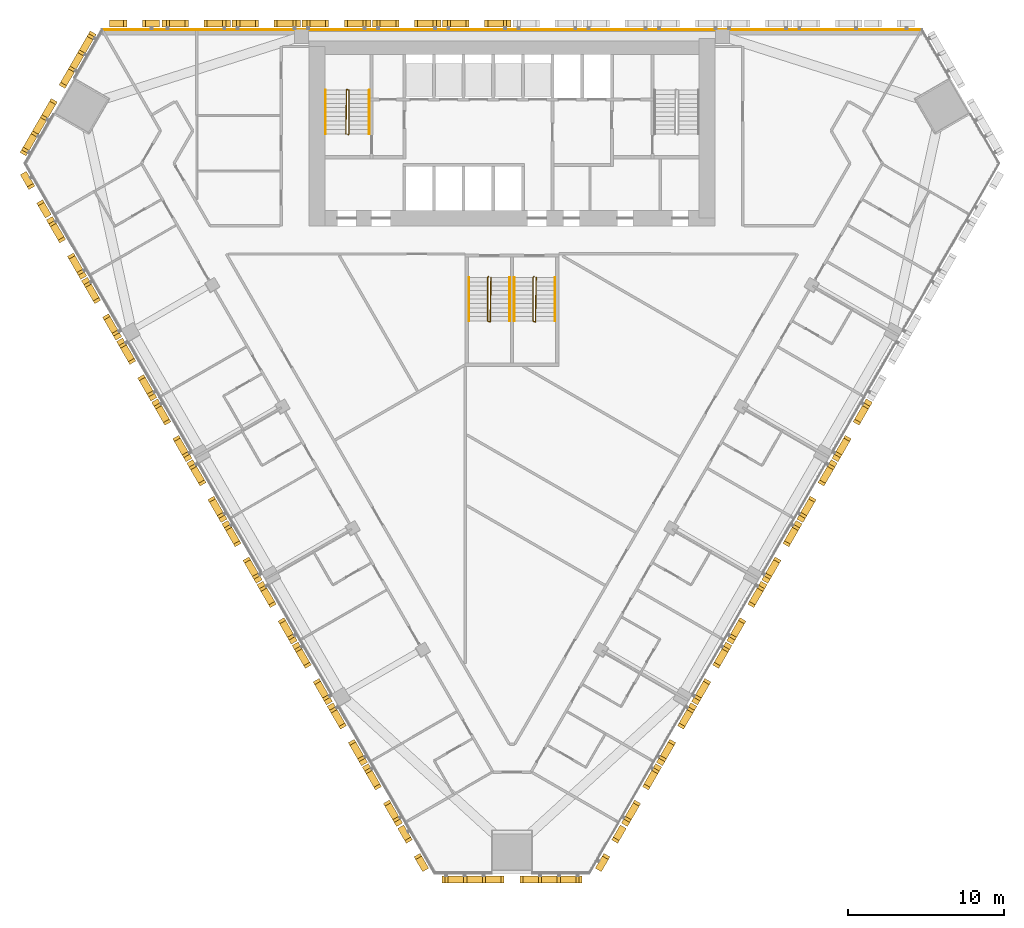
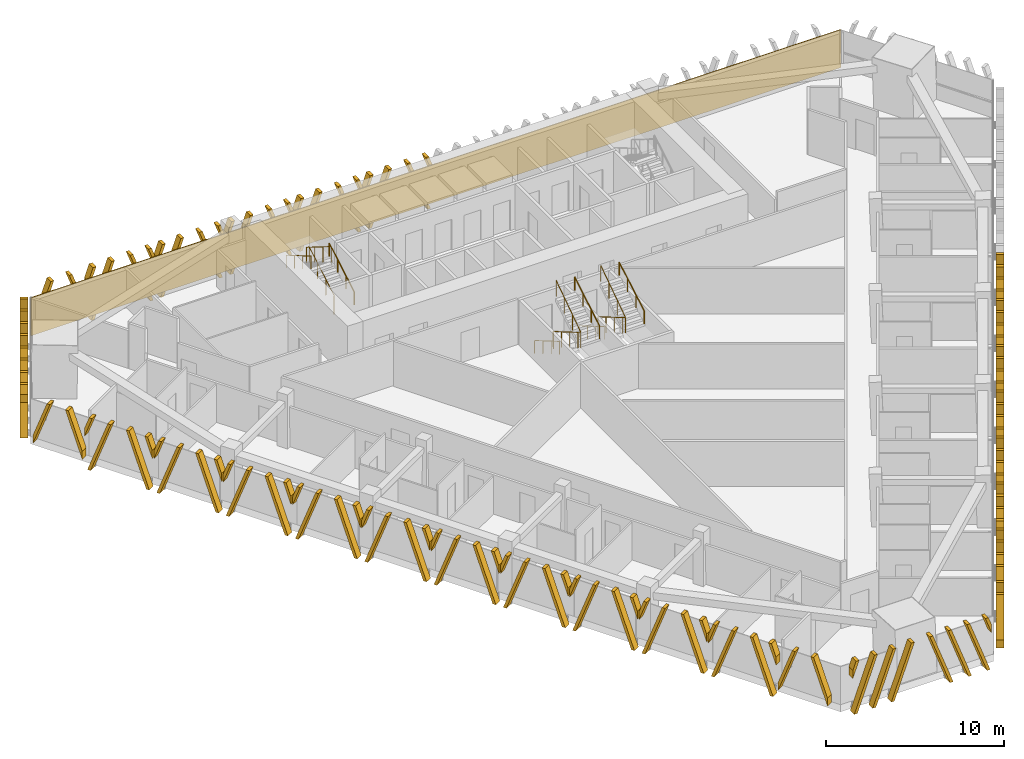
# One storey, part 15 of 17: 28 shading devices, 9 railings, 1 covering.
"""IFC4 building model written with IfcOpenShell, lengths in metres."""

from ifc_helpers import new_model, si_unit, direction, frame, frame_2d, origin, origin_2d, place, context, subcontext, project, spatial, polyline, rectangle, circle, outline, extrude, source, transform, mapped, material, layer, layer_set, type_object, element, save


model = new_model("IFC4")

# Units and contexts
model_context = context("Model", 3, precision=1e-05, world=origin(), true_north=direction((0.0, 1.0)))
body_context = subcontext(model_context, "Body", "Model", "MODEL_VIEW")
ifc_project = project(units=[si_unit("LENGTHUNIT", "METRE"), si_unit("AREAUNIT", "SQUARE_METRE"), si_unit("VOLUMEUNIT", "CUBIC_METRE"), si_unit("PLANEANGLEUNIT", "RADIAN"), si_unit("MASSUNIT", "GRAM", prefix="KILO")], contexts=[model_context])

# Site, building, storey
site_placement = place(None, origin())
site = spatial("IfcSite", under=ifc_project, at=site_placement, CompositionType="ELEMENT")
building_placement = place(site_placement, origin())
building = spatial("IfcBuilding", under=site, at=building_placement, Name="Altiplano Prism Tower", CompositionType="ELEMENT")
storey_placement = place(building_placement, frame((0.0, 0.0, 30.60009765625)))
storey = spatial("IfcBuildingStorey", under=building, at=storey_placement, Name="L06", CompositionType="ELEMENT", Elevation=30.60009765625)

# Railings
ifc_material_1 = material(Name="Steel S355", Category="steel")
railing_type_1 = type_object("IfcRailingType", Name="Stair guard 1100", PredefinedType="GUARDRAIL", material=ifc_material_1)
railing_1_placement = place(storey_placement, frame((74.5, 98.25, 0.0)))
element("IfcRailing", 1, at=railing_1_placement, inside=storey, type_object=railing_type_1, Name="L06 ST1 stair guard 1", PredefinedType="GUARDRAIL", context=body_context, shape_type="SweptSolid", body=[
    extrude(circle(Radius=0.02392578125, at=origin_2d()), frame((0.0, 0.0, 1.076171875), z_axis=(0.280808744504, 0.280808744504, 0.917765164963), x_axis=(-0.707106781187, 0.707106781187, 0.0)), (0.0, 0.0, 1.0), 0.17822265625),
    extrude(circle(Radius=0.02392578125, at=origin_2d()), frame((0.050048828125, 0.050048828125, 1.23974609375), z_axis=(0.0, 0.863393664356, 0.504530851732), x_axis=(-1.0, 0.0, 0.0)), (0.0, 0.0, 1.0), 3.2431640625),
    extrude(circle(Radius=0.02392578125, at=origin_2d()), frame((0.050048828125, 2.85009765625, 2.8759765625), z_axis=(-0.949145278916, 0.314838433982, 0.0), x_axis=(-0.314838433982, -0.949145278916, 0.0)), (0.0, 0.0, 1.0), 0.158203125),
    extrude(circle(Radius=0.02392578125, at=origin_2d()), frame((-0.10009765625, 2.89990234375, 2.8759765625), z_axis=(-0.01477401265, -0.845377694409, 0.533964682676), x_axis=(0.999847325713, -0.01747355902, 0.0)), (0.0, 0.0, 1.0), 3.37109375),
    extrude(circle(Radius=0.02099609375, at=origin_2d()), origin(), (0.0, 0.0, 1.0), 1.052001953125),
    extrude(circle(Radius=0.02099609375, at=origin_2d()), frame((0.050048828125, 0.050048828125, 0.16357421875)), (0.0, 0.0, 1.0), 1.052001953125),
    extrude(circle(Radius=0.02099609375, at=origin_2d()), frame((0.050048828125, 0.9833984375, 0.708984375)), (0.0, 0.0, 1.0), 1.052001953125),
    extrude(circle(Radius=0.02099609375, at=origin_2d()), frame((0.050048828125, 1.916748046875, 1.25439453125)), (0.0, 0.0, 1.0), 1.052001953125),
    extrude(circle(Radius=0.02099609375, at=origin_2d()), frame((0.050048828125, 2.85009765625, 1.7998046875)), (0.0, 0.0, 1.0), 1.052001953125),
    extrude(circle(Radius=0.02099609375, at=origin_2d()), frame((-0.10009765625, 2.89990234375, 1.7998046875)), (0.0, 0.0, 1.0), 1.052001953125),
    extrude(circle(Radius=0.02099609375, at=origin_2d()), frame((-0.11669921875, 1.949951171875, 2.39990234375)), (0.0, 0.0, 1.0), 1.052001953125),
    extrude(circle(Radius=0.02099609375, at=origin_2d()), frame((-0.13330078125, 1.0, 2.999755859375)), (0.0, 0.0, 1.0), 1.052001953125),
    extrude(circle(Radius=0.02099609375, at=origin_2d()), frame((-0.14990234375, 0.050048828125, 3.599853515625)), (0.0, 0.0, 1.0), 1.052001953125),
])
railing_2_placement = place(storey_placement, frame((83.5, 89.14990234375, 0.0)))
element("IfcRailing", 2, at=railing_2_placement, inside=storey, type_object=railing_type_1, Name="L06 ST3A stair guard 1", PredefinedType="GUARDRAIL", context=body_context, shape_type="SweptSolid", body=[
    extrude(circle(Radius=0.02392578125, at=origin_2d()), frame((0.0, 0.0, 1.076171875), z_axis=(-0.280916556609, -0.279546231943, 0.91811752648), x_axis=(0.705375805398, -0.708833529934, 0.0)), (0.0, 0.0, 1.0), 0.17822265625),
    extrude(circle(Radius=0.02392578125, at=origin_2d()), frame((-0.050048828125, -0.0498046875, 1.23974609375), z_axis=(0.0, -0.863393664356, 0.504530851732), x_axis=(1.0, 0.0, 0.0)), (0.0, 0.0, 1.0), 3.2431640625),
    extrude(circle(Radius=0.02392578125, at=origin_2d()), frame((-0.050048828125, -2.849853515625, 2.8759765625), z_axis=(0.948683298051, -0.316227766017, 0.0), x_axis=(0.316227766017, 0.948683298051, 0.0)), (0.0, 0.0, 1.0), 0.158203125),
    extrude(circle(Radius=0.02392578125, at=origin_2d()), frame((0.10009765625, -2.89990234375, 2.8759765625), z_axis=(0.014773108175, 0.84539835705, 0.533931993021), x_axis=(-0.999847351862, 0.017472062685, 0.0)), (0.0, 0.0, 1.0), 3.371337890625),
    extrude(circle(Radius=0.02099609375, at=origin_2d()), origin(), (0.0, 0.0, 1.0), 1.052001953125),
    extrude(circle(Radius=0.02099609375, at=origin_2d()), frame((-0.050048828125, -0.0498046875, 0.16357421875)), (0.0, 0.0, 1.0), 1.052001953125),
    extrude(circle(Radius=0.02099609375, at=origin_2d()), frame((-0.050048828125, -0.983154296875, 0.708984375)), (0.0, 0.0, 1.0), 1.052001953125),
    extrude(circle(Radius=0.02099609375, at=origin_2d()), frame((-0.050048828125, -1.91650390625, 1.25439453125)), (0.0, 0.0, 1.0), 1.052001953125),
    extrude(circle(Radius=0.02099609375, at=origin_2d()), frame((-0.050048828125, -2.849853515625, 1.7998046875)), (0.0, 0.0, 1.0), 1.052001953125),
    extrude(circle(Radius=0.02099609375, at=origin_2d()), frame((0.10009765625, -2.89990234375, 1.7998046875)), (0.0, 0.0, 1.0), 1.052001953125),
    extrude(circle(Radius=0.02099609375, at=origin_2d()), frame((0.11669921875, -1.949951171875, 2.39990234375)), (0.0, 0.0, 1.0), 1.052001953125),
    extrude(circle(Radius=0.02099609375, at=origin_2d()), frame((0.13330078125, -0.999755859375, 2.999755859375)), (0.0, 0.0, 1.0), 1.052001953125),
    extrude(circle(Radius=0.02099609375, at=origin_2d()), frame((0.14990234375, -0.0498046875, 3.599853515625)), (0.0, 0.0, 1.0), 1.052001953125),
])
railing_3_placement = place(storey_placement, frame((86.39990234375, 89.14990234375, 0.0)))
element("IfcRailing", 3, at=railing_3_placement, inside=storey, type_object=railing_type_1, Name="L06 ST3B stair guard 1", PredefinedType="GUARDRAIL", context=body_context, shape_type="SweptSolid", body=[
    extrude(circle(Radius=0.02392578125, at=origin_2d()), frame((0.0, 0.0, 1.076171875), z_axis=(-0.279653641804, -0.279653641804, 0.918470294159), x_axis=(0.707106781187, -0.707106781187, 0.0)), (0.0, 0.0, 1.0), 0.177978515625),
    extrude(circle(Radius=0.02392578125, at=origin_2d()), frame((-0.0498046875, -0.0498046875, 1.23974609375), z_axis=(0.0, -0.863393664356, 0.504530851732), x_axis=(1.0, 0.0, 0.0)), (0.0, 0.0, 1.0), 3.2431640625),
    extrude(circle(Radius=0.02392578125, at=origin_2d()), frame((-0.0498046875, -2.849853515625, 2.8759765625), z_axis=(0.948528701346, -0.316691178788, 0.0), x_axis=(0.316691178788, 0.948528701346, 0.0)), (0.0, 0.0, 1.0), 0.157958984375),
    extrude(circle(Radius=0.02392578125, at=origin_2d()), frame((0.10009765625, -2.89990234375, 2.8759765625), z_axis=(0.014845509451, 0.845397450405, 0.533931420407), x_axis=(-0.999845851991, 0.017557683712, 0.0)), (0.0, 0.0, 1.0), 3.371337890625),
    extrude(circle(Radius=0.02099609375, at=origin_2d()), origin(), (0.0, 0.0, 1.0), 1.052001953125),
    extrude(circle(Radius=0.02099609375, at=origin_2d()), frame((-0.0498046875, -0.0498046875, 0.16357421875)), (0.0, 0.0, 1.0), 1.052001953125),
    extrude(circle(Radius=0.02099609375, at=origin_2d()), frame((-0.0498046875, -0.983154296875, 0.708984375)), (0.0, 0.0, 1.0), 1.052001953125),
    extrude(circle(Radius=0.02099609375, at=origin_2d()), frame((-0.0498046875, -1.91650390625, 1.25439453125)), (0.0, 0.0, 1.0), 1.052001953125),
    extrude(circle(Radius=0.02099609375, at=origin_2d()), frame((-0.0498046875, -2.849853515625, 1.7998046875)), (0.0, 0.0, 1.0), 1.052001953125),
    extrude(circle(Radius=0.02099609375, at=origin_2d()), frame((0.10009765625, -2.89990234375, 1.7998046875)), (0.0, 0.0, 1.0), 1.052001953125),
    extrude(circle(Radius=0.02099609375, at=origin_2d()), frame((0.11669921875, -1.949951171875, 2.39990234375)), (0.0, 0.0, 1.0), 1.052001953125),
    extrude(circle(Radius=0.02099609375, at=origin_2d()), frame((0.133544921875, -0.999755859375, 2.999755859375)), (0.0, 0.0, 1.0), 1.052001953125),
    extrude(circle(Radius=0.02099609375, at=origin_2d()), frame((0.150146484375, -0.0498046875, 3.599853515625)), (0.0, 0.0, 1.0), 1.052001953125),
])
railing_type_2 = type_object("IfcRailingType", Name="Stair handrail 900", PredefinedType="HANDRAIL", material=ifc_material_1)
railing_4_placement = place(storey_placement, frame((75.85009765625, 98.300048828125, 0.16357421875)))
element("IfcRailing", 4, at=railing_4_placement, inside=storey, type_object=railing_type_2, Name="L06 ST1 stair handrail 1", PredefinedType="HANDRAIL", context=body_context, shape_type="SweptSolid", body=[
    extrude(circle(Radius=0.02392578125, at=origin_2d()), frame((0.0, 0.0, 0.8759765625), z_axis=(0.0, 0.863393664356, 0.504530851732), x_axis=(-1.0, 0.0, 0.0)), (0.0, 0.0, 1.0), 3.2431640625),
    extrude(circle(Radius=0.02099609375, at=origin_2d()), origin(), (0.0, 0.0, 1.0), 0.851806640625),
    extrude(circle(Radius=0.02099609375, at=origin_2d()), frame((0.0, 0.933349609375, 0.54541015625)), (0.0, 0.0, 1.0), 0.851806640625),
    extrude(circle(Radius=0.02099609375, at=origin_2d()), frame((0.0, 1.86669921875, 1.0908203125)), (0.0, 0.0, 1.0), 0.851806640625),
    extrude(circle(Radius=0.02099609375, at=origin_2d()), frame((0.0, 2.800048828125, 1.63623046875)), (0.0, 0.0, 1.0), 0.851806640625),
])
for number, where, name in (
    (5, (73.050048828125, 101.10009765625, 1.963623046875), "L06 ST1 stair handrail 2"),
    (6, (82.25, 89.10009765625, 0.16357421875), "L06 ST3A stair handrail 1"),
):
    element("IfcRailing", number, at=place(storey_placement, frame(where)), inside=storey, type_object=railing_type_2, Name=name, PredefinedType="HANDRAIL", context=body_context, shape_type="SweptSolid", body=[
        extrude(circle(Radius=0.02392578125, at=origin_2d()), frame((0.0, 0.0, 0.8759765625), z_axis=(0.0, -0.863393664356, 0.504530851732), x_axis=(1.0, 0.0, 0.0)), (0.0, 0.0, 1.0), 3.2431640625),
        extrude(circle(Radius=0.02099609375, at=origin_2d()), origin(), (0.0, 0.0, 1.0), 0.851806640625),
        extrude(circle(Radius=0.02099609375, at=origin_2d()), frame((0.0, -0.933349609375, 0.54541015625)), (0.0, 0.0, 1.0), 0.851806640625),
        extrude(circle(Radius=0.02099609375, at=origin_2d()), frame((0.0, -1.86669921875, 1.0908203125)), (0.0, 0.0, 1.0), 0.851806640625),
        extrude(circle(Radius=0.02099609375, at=origin_2d()), frame((0.0, -2.800048828125, 1.63623046875)), (0.0, 0.0, 1.0), 0.851806640625),
    ])
railing_5_placement = place(storey_placement, frame((84.85009765625, 86.300048828125, 1.963623046875)))
element("IfcRailing", 7, at=railing_5_placement, inside=storey, type_object=railing_type_2, Name="L06 ST3A stair handrail 2", PredefinedType="HANDRAIL", context=body_context, shape_type="SweptSolid", body=[
    extrude(circle(Radius=0.02392578125, at=origin_2d()), frame((0.0, 0.0, 0.8759765625), z_axis=(0.0, 0.863393664356, 0.504530851732), x_axis=(-1.0, 0.0, 0.0)), (0.0, 0.0, 1.0), 3.2431640625),
    extrude(circle(Radius=0.02099609375, at=origin_2d()), origin(), (0.0, 0.0, 1.0), 0.851806640625),
    extrude(circle(Radius=0.02099609375, at=origin_2d()), frame((0.0, 0.933349609375, 0.54541015625)), (0.0, 0.0, 1.0), 0.851806640625),
    extrude(circle(Radius=0.02099609375, at=origin_2d()), frame((0.0, 1.86669921875, 1.0908203125)), (0.0, 0.0, 1.0), 0.851806640625),
    extrude(circle(Radius=0.02099609375, at=origin_2d()), frame((0.0, 2.800048828125, 1.63623046875)), (0.0, 0.0, 1.0), 0.851806640625),
])
railing_6_placement = place(storey_placement, frame((85.14990234375, 89.10009765625, 0.16357421875)))
element("IfcRailing", 8, at=railing_6_placement, inside=storey, type_object=railing_type_2, Name="L06 ST3B stair handrail 1", PredefinedType="HANDRAIL", context=body_context, shape_type="SweptSolid", body=[
    extrude(circle(Radius=0.02392578125, at=origin_2d()), frame((0.0, 0.0, 0.8759765625), z_axis=(0.0, -0.863393664356, 0.504530851732), x_axis=(1.0, 0.0, 0.0)), (0.0, 0.0, 1.0), 3.2431640625),
    extrude(circle(Radius=0.02099609375, at=origin_2d()), origin(), (0.0, 0.0, 1.0), 0.851806640625),
    extrude(circle(Radius=0.02099609375, at=origin_2d()), frame((0.0, -0.933349609375, 0.54541015625)), (0.0, 0.0, 1.0), 0.851806640625),
    extrude(circle(Radius=0.02099609375, at=origin_2d()), frame((0.0, -1.86669921875, 1.0908203125)), (0.0, 0.0, 1.0), 0.851806640625),
    extrude(circle(Radius=0.02099609375, at=origin_2d()), frame((0.0, -2.800048828125, 1.63623046875)), (0.0, 0.0, 1.0), 0.851806640625),
])
railing_7_placement = place(storey_placement, frame((87.75, 86.300048828125, 1.963623046875)))
element("IfcRailing", 9, at=railing_7_placement, inside=storey, type_object=railing_type_2, Name="L06 ST3B stair handrail 2", PredefinedType="HANDRAIL", context=body_context, shape_type="SweptSolid", body=[
    extrude(circle(Radius=0.02392578125, at=origin_2d()), frame((0.0, 0.0, 0.8759765625), z_axis=(0.0, 0.863393664356, 0.504530851732), x_axis=(-1.0, 0.0, 0.0)), (0.0, 0.0, 1.0), 3.2431640625),
    extrude(circle(Radius=0.02099609375, at=origin_2d()), origin(), (0.0, 0.0, 1.0), 0.851806640625),
    extrude(circle(Radius=0.02099609375, at=origin_2d()), frame((0.0, 0.933349609375, 0.54541015625)), (0.0, 0.0, 1.0), 0.851806640625),
    extrude(circle(Radius=0.02099609375, at=origin_2d()), frame((0.0, 1.86669921875, 1.0908203125)), (0.0, 0.0, 1.0), 0.851806640625),
    extrude(circle(Radius=0.02099609375, at=origin_2d()), frame((0.0, 2.800048828125, 1.63623046875)), (0.0, 0.0, 1.0), 0.851806640625),
])

# Covering
ifc_material_2 = material(Name="Warm limestone cast stone", Category="masonry")
ifc_layer = layer(ifc_material_2, 0.06005859375)
ifc_layer_set = layer_set([ifc_layer], Name="Warm limestone cast stone")
covering_type = type_object("IfcCoveringType", Name="Stone cladding 60", PredefinedType="CLADDING", material=ifc_layer_set)
covering_placement = place(storey_placement, frame((58.7099609375, 104.969970703125, 0.0), z_axis=(0.0, 0.0, 1.0), x_axis=(1.0, 0.0, 0.0)))
element("IfcCovering", 10, at=covering_placement, inside=storey, type_object=covering_type, Name="Stone cladding north face L06", PredefinedType="CLADDING", context=body_context, shape_type="SweptSolid", body=[
    extrude(rectangle(XDim=52.580078125, YDim=0.06005859375, at=frame_2d((26.2900390625, 0.0))), origin(), (0.0, 0.0, 1.0), 2.599853515625),
])

# Shading devices
shading_device_type_1 = type_object("IfcShadingDeviceType", Name="Stone fin panel, narrow closing bay", PredefinedType="USERDEFINED", material=ifc_material_2)
shared_shape_1 = source(origin(), body_context, "Body", "SweptSolid", [
    extrude(outline(polyline([(-1.60009765625, 0.577880859375), (-0.5, 3.60009765625), (-0.699951171875, 3.60009765625), (-1.60009765625, 1.127197265625), (-1.60009765625, 0.577880859375)])), frame((0.0, -0.14990234375, 0.0), z_axis=(0.0, -1.0, 0.0), x_axis=(1.0, 0.0, 0.0)), (0.0, 0.0, 1.0), 0.4501953125),
    extrude(outline(polyline([(1.60009765625, 1.127197265625), (0.699951171875, 3.60009765625), (0.5, 3.60009765625), (1.60009765625, 0.577880859375), (1.60009765625, 1.127197265625)])), frame((0.0, -0.14990234375, 0.0), z_axis=(0.0, -1.0, 0.0), x_axis=(1.0, 0.0, 0.0)), (0.0, 0.0, 1.0), 0.4501953125),
])
shading_device_1_placement = place(storey_placement, origin())
element("IfcShadingDevice", 11, at=shading_device_1_placement, inside=storey, type_object=shading_device_type_1, Name="Fin L06 north face 12", ObjectType="FIN", PredefinedType="USERDEFINED", context=body_context, shape_type="MappedRepresentation", body=[
    mapped(shared_shape_1, transform((60.804931640625, 105.0, -0.5), x_axis=(-1.0, 0.0, 0.0), y_axis=(0.0, -1.0, 0.0), z_axis=(0.0, 0.0, 1.0))),
])
shading_device_2_placement = place(storey_placement, origin())
element("IfcShadingDevice", 12, at=shading_device_2_placement, inside=storey, type_object=shading_device_type_1, Name="Fin L06 south-west face 1", ObjectType="FIN", PredefinedType="USERDEFINED", context=body_context, shape_type="MappedRepresentation", body=[
    mapped(shared_shape_1, transform((54.7958984375, 94.592041015625, -0.5), x_axis=(0.50000000184, -0.866025402722, 0.0), y_axis=(0.866025402722, 0.50000000184, 0.0), z_axis=(0.0, 0.0, 1.0))),
])
shading_device_3_placement = place(storey_placement, origin())
element("IfcShadingDevice", 13, at=shading_device_3_placement, inside=storey, type_object=shading_device_type_1, Name="Fin L06 south-west face 12", ObjectType="FIN", PredefinedType="USERDEFINED", context=body_context, shape_type="MappedRepresentation", body=[
    mapped(shared_shape_1, transform((78.990966796875, 52.68505859375, -0.5), x_axis=(0.50000000184, -0.866025402722, 0.0), y_axis=(0.866025402722, 0.50000000184, 0.0), z_axis=(0.0, 0.0, 1.0))),
])
shading_device_4_placement = place(storey_placement, origin())
element("IfcShadingDevice", 14, at=shading_device_4_placement, inside=storey, type_object=shading_device_type_1, Name="Fin L06 south-east face 1", ObjectType="FIN", PredefinedType="USERDEFINED", context=body_context, shape_type="MappedRepresentation", body=[
    mapped(shared_shape_1, transform((91.009033203125, 52.68505859375, -0.5), x_axis=(0.50000000184, 0.866025402722, 0.0), y_axis=(-0.866025402722, 0.50000000184, 0.0), z_axis=(0.0, 0.0, 1.0))),
])
shading_device_type_2 = type_object("IfcShadingDeviceType", Name="Stone fin panel, standard unit", PredefinedType="USERDEFINED", material=ifc_material_2)
shared_shape_2 = source(origin(), body_context, "Body", "SweptSolid", [
    extrude(outline(polyline([(-2.199951171875, 2.226318359375), (-1.699951171875, 3.60009765625), (-1.89990234375, 3.60009765625), (-2.199951171875, 2.77587890625), (-2.199951171875, 2.226318359375)])), frame((0.0, -0.14990234375, 0.0), z_axis=(0.0, -1.0, 0.0), x_axis=(1.0, 0.0, 0.0)), (0.0, 0.0, 1.0), 0.4501953125),
    extrude(outline(polyline([(-2.01025390625, 0.0), (-1.810302734375, 0.0), (-0.5, 3.60009765625), (-0.699951171875, 3.60009765625), (-2.01025390625, 0.0)])), frame((0.0, -0.14990234375, 0.0), z_axis=(0.0, -1.0, 0.0), x_axis=(1.0, 0.0, 0.0)), (0.0, 0.0, 1.0), 0.4501953125),
    extrude(outline(polyline([(1.810302734375, 0.0), (2.01025390625, 0.0), (0.699951171875, 3.60009765625), (0.5, 3.60009765625), (1.810302734375, 0.0)])), frame((0.0, -0.14990234375, 0.0), z_axis=(0.0, -1.0, 0.0), x_axis=(1.0, 0.0, 0.0)), (0.0, 0.0, 1.0), 0.4501953125),
    extrude(outline(polyline([(2.199951171875, 2.77587890625), (1.89990234375, 3.60009765625), (1.699951171875, 3.60009765625), (2.199951171875, 2.226318359375), (2.199951171875, 2.77587890625)])), frame((0.0, -0.14990234375, 0.0), z_axis=(0.0, -1.0, 0.0), x_axis=(1.0, 0.0, 0.0)), (0.0, 0.0, 1.0), 0.4501953125),
])
shading_device_5_placement = place(storey_placement, origin())
element("IfcShadingDevice", 15, at=shading_device_5_placement, inside=storey, type_object=shading_device_type_2, Name="Fin L06 north face 7", ObjectType="FIN", PredefinedType="USERDEFINED", context=body_context, shape_type="MappedRepresentation", body=[
    mapped(shared_shape_2, transform((82.75, 105.0, -0.5), x_axis=(-1.0, 0.0, 0.0), y_axis=(0.0, -1.0, 0.0), z_axis=(0.0, 0.0, 1.0))),
])
shading_device_6_placement = place(storey_placement, origin())
element("IfcShadingDevice", 16, at=shading_device_6_placement, inside=storey, type_object=shading_device_type_2, Name="Fin L06 north face 8", ObjectType="FIN", PredefinedType="USERDEFINED", context=body_context, shape_type="MappedRepresentation", body=[
    mapped(shared_shape_2, transform((78.25, 105.0, -0.5), x_axis=(-1.0, 0.0, 0.0), y_axis=(0.0, -1.0, 0.0), z_axis=(0.0, 0.0, 1.0))),
])
shading_device_7_placement = place(storey_placement, origin())
element("IfcShadingDevice", 17, at=shading_device_7_placement, inside=storey, type_object=shading_device_type_2, Name="Fin L06 north face 9", ObjectType="FIN", PredefinedType="USERDEFINED", context=body_context, shape_type="MappedRepresentation", body=[
    mapped(shared_shape_2, transform((73.75, 105.0, -0.5), x_axis=(-1.0, 0.0, 0.0), y_axis=(0.0, -1.0, 0.0), z_axis=(0.0, 0.0, 1.0))),
])
shading_device_8_placement = place(storey_placement, origin())
element("IfcShadingDevice", 18, at=shading_device_8_placement, inside=storey, type_object=shading_device_type_2, Name="Fin L06 north face 10", ObjectType="FIN", PredefinedType="USERDEFINED", context=body_context, shape_type="MappedRepresentation", body=[
    mapped(shared_shape_2, transform((69.25, 105.0, -0.5), x_axis=(-1.0, 0.0, 0.0), y_axis=(0.0, -1.0, 0.0), z_axis=(0.0, 0.0, 1.0))),
])
shading_device_9_placement = place(storey_placement, origin())
element("IfcShadingDevice", 19, at=shading_device_9_placement, inside=storey, type_object=shading_device_type_2, Name="Fin L06 north face 11", ObjectType="FIN", PredefinedType="USERDEFINED", context=body_context, shape_type="MappedRepresentation", body=[
    mapped(shared_shape_2, transform((64.75, 105.0, -0.5), x_axis=(-1.0, 0.0, 0.0), y_axis=(0.0, -1.0, 0.0), z_axis=(0.0, 0.0, 1.0))),
])
shading_device_10_placement = place(storey_placement, origin())
element("IfcShadingDevice", 20, at=shading_device_10_placement, inside=storey, type_object=shading_device_type_2, Name="Fin L06 south-west face 2", ObjectType="FIN", PredefinedType="USERDEFINED", context=body_context, shape_type="MappedRepresentation", body=[
    mapped(shared_shape_2, transform((56.7685546875, 91.175537109375, -0.5), x_axis=(0.50000000184, -0.866025402722, 0.0), y_axis=(0.866025402722, 0.50000000184, 0.0), z_axis=(0.0, 0.0, 1.0))),
])
shading_device_11_placement = place(storey_placement, origin())
element("IfcShadingDevice", 21, at=shading_device_11_placement, inside=storey, type_object=shading_device_type_2, Name="Fin L06 south-west face 3", ObjectType="FIN", PredefinedType="USERDEFINED", context=body_context, shape_type="MappedRepresentation", body=[
    mapped(shared_shape_2, transform((59.0185546875, 87.278564453125, -0.5), x_axis=(0.50000000184, -0.866025402722, 0.0), y_axis=(0.866025402722, 0.50000000184, 0.0), z_axis=(0.0, 0.0, 1.0))),
])
shading_device_12_placement = place(storey_placement, origin())
element("IfcShadingDevice", 22, at=shading_device_12_placement, inside=storey, type_object=shading_device_type_2, Name="Fin L06 south-west face 4", ObjectType="FIN", PredefinedType="USERDEFINED", context=body_context, shape_type="MappedRepresentation", body=[
    mapped(shared_shape_2, transform((61.2685546875, 83.38134765625, -0.5), x_axis=(0.50000000184, -0.866025402722, 0.0), y_axis=(0.866025402722, 0.50000000184, 0.0), z_axis=(0.0, 0.0, 1.0))),
])
shading_device_13_placement = place(storey_placement, origin())
element("IfcShadingDevice", 23, at=shading_device_13_placement, inside=storey, type_object=shading_device_type_2, Name="Fin L06 south-west face 5", ObjectType="FIN", PredefinedType="USERDEFINED", context=body_context, shape_type="MappedRepresentation", body=[
    mapped(shared_shape_2, transform((63.5185546875, 79.484130859375, -0.5), x_axis=(0.50000000184, -0.866025402722, 0.0), y_axis=(0.866025402722, 0.50000000184, 0.0), z_axis=(0.0, 0.0, 1.0))),
])
shading_device_14_placement = place(storey_placement, origin())
element("IfcShadingDevice", 24, at=shading_device_14_placement, inside=storey, type_object=shading_device_type_2, Name="Fin L06 south-west face 6", ObjectType="FIN", PredefinedType="USERDEFINED", context=body_context, shape_type="MappedRepresentation", body=[
    mapped(shared_shape_2, transform((65.7685546875, 75.587158203125, -0.5), x_axis=(0.50000000184, -0.866025402722, 0.0), y_axis=(0.866025402722, 0.50000000184, 0.0), z_axis=(0.0, 0.0, 1.0))),
])
shading_device_15_placement = place(storey_placement, origin())
element("IfcShadingDevice", 25, at=shading_device_15_placement, inside=storey, type_object=shading_device_type_2, Name="Fin L06 south-west face 7", ObjectType="FIN", PredefinedType="USERDEFINED", context=body_context, shape_type="MappedRepresentation", body=[
    mapped(shared_shape_2, transform((68.0185546875, 71.68994140625, -0.5), x_axis=(0.50000000184, -0.866025402722, 0.0), y_axis=(0.866025402722, 0.50000000184, 0.0), z_axis=(0.0, 0.0, 1.0))),
])
shading_device_16_placement = place(storey_placement, origin())
element("IfcShadingDevice", 26, at=shading_device_16_placement, inside=storey, type_object=shading_device_type_2, Name="Fin L06 south-west face 8", ObjectType="FIN", PredefinedType="USERDEFINED", context=body_context, shape_type="MappedRepresentation", body=[
    mapped(shared_shape_2, transform((70.2685546875, 67.79296875, -0.5), x_axis=(0.50000000184, -0.866025402722, 0.0), y_axis=(0.866025402722, 0.50000000184, 0.0), z_axis=(0.0, 0.0, 1.0))),
])
shading_device_17_placement = place(storey_placement, origin())
element("IfcShadingDevice", 27, at=shading_device_17_placement, inside=storey, type_object=shading_device_type_2, Name="Fin L06 south-west face 9", ObjectType="FIN", PredefinedType="USERDEFINED", context=body_context, shape_type="MappedRepresentation", body=[
    mapped(shared_shape_2, transform((72.5185546875, 63.895751953125, -0.5), x_axis=(0.50000000184, -0.866025402722, 0.0), y_axis=(0.866025402722, 0.50000000184, 0.0), z_axis=(0.0, 0.0, 1.0))),
])
shading_device_18_placement = place(storey_placement, origin())
element("IfcShadingDevice", 28, at=shading_device_18_placement, inside=storey, type_object=shading_device_type_2, Name="Fin L06 south-west face 10", ObjectType="FIN", PredefinedType="USERDEFINED", context=body_context, shape_type="MappedRepresentation", body=[
    mapped(shared_shape_2, transform((74.7685546875, 59.99853515625, -0.5), x_axis=(0.50000000184, -0.866025402722, 0.0), y_axis=(0.866025402722, 0.50000000184, 0.0), z_axis=(0.0, 0.0, 1.0))),
])
shading_device_19_placement = place(storey_placement, origin())
element("IfcShadingDevice", 29, at=shading_device_19_placement, inside=storey, type_object=shading_device_type_2, Name="Fin L06 south-west face 11", ObjectType="FIN", PredefinedType="USERDEFINED", context=body_context, shape_type="MappedRepresentation", body=[
    mapped(shared_shape_2, transform((77.0185546875, 56.1015625, -0.5), x_axis=(0.50000000184, -0.866025402722, 0.0), y_axis=(0.866025402722, 0.50000000184, 0.0), z_axis=(0.0, 0.0, 1.0))),
])
shading_device_20_placement = place(storey_placement, origin())
element("IfcShadingDevice", 30, at=shading_device_20_placement, inside=storey, type_object=shading_device_type_2, Name="Fin L06 south-east face 2", ObjectType="FIN", PredefinedType="USERDEFINED", context=body_context, shape_type="MappedRepresentation", body=[
    mapped(shared_shape_2, transform((92.9814453125, 56.1015625, -0.5), x_axis=(0.50000000184, 0.866025402722, 0.0), y_axis=(-0.866025402722, 0.50000000184, 0.0), z_axis=(0.0, 0.0, 1.0))),
])
shading_device_21_placement = place(storey_placement, origin())
element("IfcShadingDevice", 31, at=shading_device_21_placement, inside=storey, type_object=shading_device_type_2, Name="Fin L06 south-east face 3", ObjectType="FIN", PredefinedType="USERDEFINED", context=body_context, shape_type="MappedRepresentation", body=[
    mapped(shared_shape_2, transform((95.2314453125, 59.99853515625, -0.5), x_axis=(0.50000000184, 0.866025402722, 0.0), y_axis=(-0.866025402722, 0.50000000184, 0.0), z_axis=(0.0, 0.0, 1.0))),
])
shading_device_22_placement = place(storey_placement, origin())
element("IfcShadingDevice", 32, at=shading_device_22_placement, inside=storey, type_object=shading_device_type_2, Name="Fin L06 south-east face 4", ObjectType="FIN", PredefinedType="USERDEFINED", context=body_context, shape_type="MappedRepresentation", body=[
    mapped(shared_shape_2, transform((97.4814453125, 63.895751953125, -0.5), x_axis=(0.50000000184, 0.866025402722, 0.0), y_axis=(-0.866025402722, 0.50000000184, 0.0), z_axis=(0.0, 0.0, 1.0))),
])
shading_device_23_placement = place(storey_placement, origin())
element("IfcShadingDevice", 33, at=shading_device_23_placement, inside=storey, type_object=shading_device_type_2, Name="Fin L06 south-east face 5", ObjectType="FIN", PredefinedType="USERDEFINED", context=body_context, shape_type="MappedRepresentation", body=[
    mapped(shared_shape_2, transform((99.7314453125, 67.79296875, -0.5), x_axis=(0.50000000184, 0.866025402722, 0.0), y_axis=(-0.866025402722, 0.50000000184, 0.0), z_axis=(0.0, 0.0, 1.0))),
])
shading_device_24_placement = place(storey_placement, origin())
element("IfcShadingDevice", 34, at=shading_device_24_placement, inside=storey, type_object=shading_device_type_2, Name="Fin L06 south-east face 6", ObjectType="FIN", PredefinedType="USERDEFINED", context=body_context, shape_type="MappedRepresentation", body=[
    mapped(shared_shape_2, transform((101.9814453125, 71.68994140625, -0.5), x_axis=(0.50000000184, 0.866025402722, 0.0), y_axis=(-0.866025402722, 0.50000000184, 0.0), z_axis=(0.0, 0.0, 1.0))),
])
shading_device_25_placement = place(storey_placement, origin())
element("IfcShadingDevice", 35, at=shading_device_25_placement, inside=storey, type_object=shading_device_type_2, Name="Fin L06 south-east face 7", ObjectType="FIN", PredefinedType="USERDEFINED", context=body_context, shape_type="MappedRepresentation", body=[
    mapped(shared_shape_2, transform((104.2314453125, 75.587158203125, -0.5), x_axis=(0.50000000184, 0.866025402722, 0.0), y_axis=(-0.866025402722, 0.50000000184, 0.0), z_axis=(0.0, 0.0, 1.0))),
])
shading_device_26_placement = place(storey_placement, origin())
element("IfcShadingDevice", 36, at=shading_device_26_placement, inside=storey, type_object=shading_device_type_2, Name="Fin L06 south-east face 8", ObjectType="FIN", PredefinedType="USERDEFINED", context=body_context, shape_type="MappedRepresentation", body=[
    mapped(shared_shape_2, transform((106.4814453125, 79.484130859375, -0.5), x_axis=(0.50000000184, 0.866025402722, 0.0), y_axis=(-0.866025402722, 0.50000000184, 0.0), z_axis=(0.0, 0.0, 1.0))),
])
shading_device_type_3 = type_object("IfcShadingDeviceType", Name="Stone fin panel, chamfer unit", PredefinedType="USERDEFINED", material=ifc_material_2)
shared_shape_3 = source(origin(), body_context, "Body", "SweptSolid", [
    extrude(outline(polyline([(-4.5, 2.5009765625), (-4.10009765625, 3.60009765625), (-4.300048828125, 3.60009765625), (-4.5, 3.050537109375), (-4.5, 2.5009765625)])), frame((0.0, -0.14990234375, 0.0), z_axis=(0.0, -1.0, 0.0), x_axis=(1.0, 0.0, 0.0)), (0.0, 0.0, 1.0), 0.4501953125),
    extrude(outline(polyline([(-4.410400390625, 0.0), (-4.210205078125, 0.0), (-2.89990234375, 3.60009765625), (-3.10009765625, 3.60009765625), (-4.410400390625, 0.0)])), frame((0.0, -0.14990234375, 0.0), z_axis=(0.0, -1.0, 0.0), x_axis=(1.0, 0.0, 0.0)), (0.0, 0.0, 1.0), 0.4501953125),
    extrude(outline(polyline([(-3.210205078125, 0.0), (-3.01025390625, 0.0), (-1.699951171875, 3.60009765625), (-1.89990234375, 3.60009765625), (-3.210205078125, 0.0)])), frame((0.0, -0.14990234375, 0.0), z_axis=(0.0, -1.0, 0.0), x_axis=(1.0, 0.0, 0.0)), (0.0, 0.0, 1.0), 0.4501953125),
    extrude(outline(polyline([(-2.01025390625, 0.0), (-1.810302734375, 0.0), (-0.5, 3.60009765625), (-0.699951171875, 3.60009765625), (-2.01025390625, 0.0)])), frame((0.0, -0.14990234375, 0.0), z_axis=(0.0, -1.0, 0.0), x_axis=(1.0, 0.0, 0.0)), (0.0, 0.0, 1.0), 0.4501953125),
    extrude(outline(polyline([(1.810302734375, 0.0), (2.01025390625, 0.0), (0.699951171875, 3.60009765625), (0.5, 3.60009765625), (1.810302734375, 0.0)])), frame((0.0, -0.14990234375, 0.0), z_axis=(0.0, -1.0, 0.0), x_axis=(1.0, 0.0, 0.0)), (0.0, 0.0, 1.0), 0.4501953125),
    extrude(outline(polyline([(3.01025390625, 0.0), (3.210205078125, 0.0), (1.89990234375, 3.60009765625), (1.699951171875, 3.60009765625), (3.01025390625, 0.0)])), frame((0.0, -0.14990234375, 0.0), z_axis=(0.0, -1.0, 0.0), x_axis=(1.0, 0.0, 0.0)), (0.0, 0.0, 1.0), 0.4501953125),
    extrude(outline(polyline([(4.210205078125, 0.0), (4.410400390625, 0.0), (3.10009765625, 3.60009765625), (2.89990234375, 3.60009765625), (4.210205078125, 0.0)])), frame((0.0, -0.14990234375, 0.0), z_axis=(0.0, -1.0, 0.0), x_axis=(1.0, 0.0, 0.0)), (0.0, 0.0, 1.0), 0.4501953125),
    extrude(outline(polyline([(4.5, 3.050537109375), (4.300048828125, 3.60009765625), (4.10009765625, 3.60009765625), (4.5, 2.5009765625), (4.5, 3.050537109375)])), frame((0.0, -0.14990234375, 0.0), z_axis=(0.0, -1.0, 0.0), x_axis=(1.0, 0.0, 0.0)), (0.0, 0.0, 1.0), 0.4501953125),
])
shading_device_27_placement = place(storey_placement, origin())
element("IfcShadingDevice", 37, at=shading_device_27_placement, inside=storey, type_object=shading_device_type_3, Name="Fin L06 north-west chamfer 1", ObjectType="FIN", PredefinedType="USERDEFINED", context=body_context, shape_type="MappedRepresentation", body=[
    mapped(shared_shape_3, transform((56.229248046875, 100.703125, -0.5), x_axis=(-0.500000003023, -0.866025402039, 0.0), y_axis=(0.866025402039, -0.500000003023, 0.0), z_axis=(0.0, 0.0, 1.0))),
])
shading_device_28_placement = place(storey_placement, origin())
element("IfcShadingDevice", 38, at=shading_device_28_placement, inside=storey, type_object=shading_device_type_3, Name="Fin L06 south chamfer 1", ObjectType="FIN", PredefinedType="USERDEFINED", context=body_context, shape_type="MappedRepresentation", body=[
    mapped(shared_shape_3, transform((85.0, 50.87060546875, -0.5), x_axis=(1.0, 0.0, 0.0), y_axis=(0.0, 1.0, 0.0), z_axis=(0.0, 0.0, 1.0))),
])

save(model, "model.ifc")
